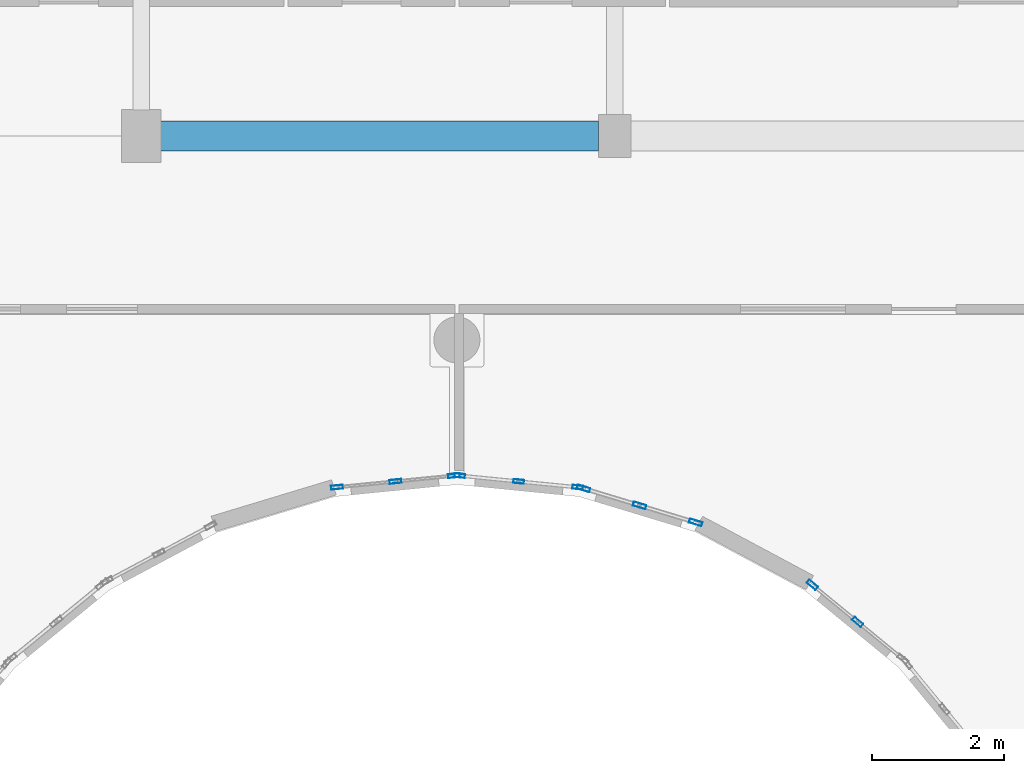
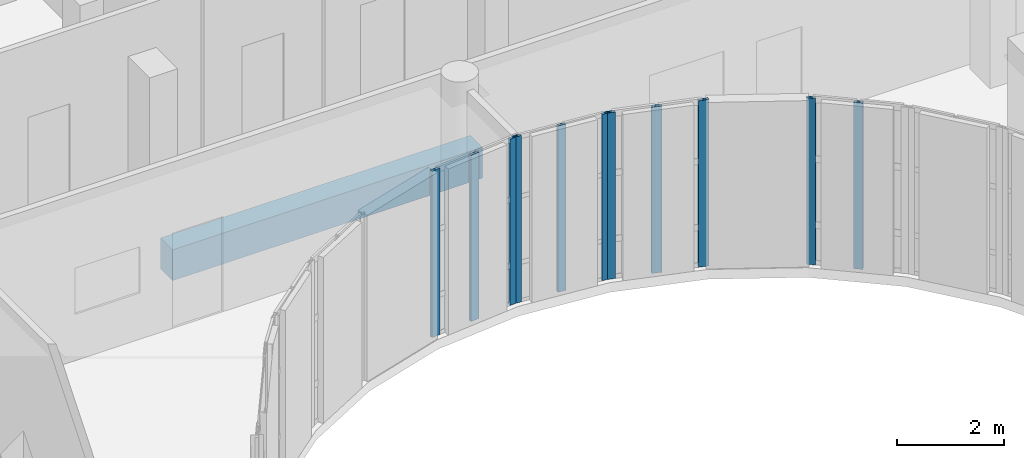
# One storey, part 48 of 105: 11 members, 1 beam, 4 elements without a shape of their own.
"""IFC4 building model written with IfcOpenShell, lengths in metres."""

from ifc_helpers import new_model, si_unit, direction, frame, origin, origin_2d, place, context, subcontext, project, spatial, rectangle, hollow_rectangle, extrude, material, layer, layer_set, material_profile, profile_set, type_object, element, aggregate, save


model = new_model("IFC4")

# Units and contexts
model_context = context("Model", 3, precision=1e-05, world=origin(), true_north=direction((0.0, 1.0)))
body_context = subcontext(model_context, "Body", "Model", "MODEL_VIEW")
ifc_project = project(units=[si_unit("LENGTHUNIT", "METRE"), si_unit("AREAUNIT", "SQUARE_METRE"), si_unit("VOLUMEUNIT", "CUBIC_METRE"), si_unit("PLANEANGLEUNIT", "RADIAN"), si_unit("MASSUNIT", "GRAM", prefix="KILO")], contexts=[model_context])

# Site, building, storey
site_placement = place(None, origin())
site = spatial("IfcSite", under=ifc_project, at=site_placement, CompositionType="ELEMENT")
building_placement = place(site_placement, origin())
building = spatial("IfcBuilding", under=site, at=building_placement, Name="Kelanivale Promenade Academy", CompositionType="ELEMENT")
storey_placement = place(building_placement, frame((0.0, 0.0, 4.199951171875)))
storey = spatial("IfcBuildingStorey", under=building, at=storey_placement, Name="L01", CompositionType="ELEMENT", Elevation=4.199951171875)

# Beam
ifc_material_1 = material(Name="Concrete C35/45", Category="concrete")
ifc_material_profile_1 = material_profile(ifc_material_1, rectangle(XDim=0.449951171875, YDim=0.699951171875, at=origin_2d()), Name="RC-BM 450x700")
ifc_profile_set_1 = profile_set([ifc_material_profile_1], Name="Concrete C35/45")
beam_type = type_object("IfcBeamType", Name="BM-03 RC-BM 450x700", PredefinedType="BEAM", material=ifc_profile_set_1)
beam_placement = place(storey_placement, frame((94.294921875, 71.60009765625, -0.570068359375), z_axis=(1.0, 0.0, 0.0), x_axis=(0.0, 1.0, 0.0)))
element("IfcBeam", 1, at=beam_placement, inside=storey, type_object=beam_type, Name="L01 girder BM-03", PredefinedType="BEAM", context=body_context, shape_type="SweptSolid", body=[
    extrude(rectangle(XDim=0.449951171875, YDim=0.699951171875, at=origin_2d()), origin(), (0.0, 0.0, 1.0), 6.66015625),
])

# Curtain wall, members
ifc_material_2 = material(Name="Bronze anodised aluminium and solar-control low-E glass", Category="aluminium")
ifc_layer_1 = layer(ifc_material_2, 0.159912109375)
ifc_layer_set_1 = layer_set([ifc_layer_1], Name="Bronze anodised aluminium and solar-control low-E glass")
curtain_wall_type_1 = type_object("IfcCurtainWallType", Name="CW-09 Curtain Wall 1650mm Module", PredefinedType="USERDEFINED", material=ifc_layer_set_1)
curtain_wall_1_placement = place(storey_placement, origin())
curtain_wall_1 = element("IfcCurtainWall", 2, at=curtain_wall_1_placement, inside=storey, type_object=curtain_wall_type_1, Name="L01 courtyard curtain wall CW-09", ObjectType="UNITISED GLAZING", PredefinedType="USERDEFINED")
ifc_material_3 = material(Name="Bronze anodised aluminium EN AW-6063 T6", Category="aluminium")
ifc_material_profile_2 = material_profile(ifc_material_3, hollow_rectangle(XDim=0.06005859375, YDim=0.159912109375, WallThickness=0.00390625, at=origin_2d()), Name="ALU 60x160x4.0")
ifc_profile_set_2 = profile_set([ifc_material_profile_2], Name="Bronze anodised aluminium EN AW-6063 T6")
member_type_1 = type_object("IfcMemberType", Name="CWM-01 ALU 60x160x4.0", PredefinedType="MULLION", material=ifc_profile_set_2)
member_1_placement = place(storey_placement, frame((100.63720703125, 66.259033203125, 0.0), z_axis=(0.0, 0.0, 1.0), x_axis=(-0.098280652454, -0.995158737767, 0.0)))
member_1 = element("IfcMember", 3, at=member_1_placement, type_object=member_type_1, Name="CW-09 mullion 1", PredefinedType="MULLION", context=body_context, shape_type="SweptSolid", body=[
    extrude(hollow_rectangle(XDim=0.06005859375, YDim=0.159912109375, WallThickness=0.00390625, at=origin_2d()), origin(), (0.0, 0.0, 1.0), 3.780029296875),
])
member_2_placement = place(storey_placement, frame((99.740478515625, 66.347412109375, 0.0), z_axis=(0.0, 0.0, 1.0), x_axis=(-0.098280652454, -0.995158737767, 0.0)))
member_2 = element("IfcMember", 4, at=member_2_placement, type_object=member_type_1, Name="CW-09 mullion 2", PredefinedType="MULLION", context=body_context, shape_type="SweptSolid", body=[
    extrude(hollow_rectangle(XDim=0.06005859375, YDim=0.159912109375, WallThickness=0.00390625, at=origin_2d()), origin(), (0.0, 0.0, 1.0), 3.780029296875),
])
member_3_placement = place(storey_placement, frame((98.84375, 66.43603515625, 0.0), z_axis=(0.0, 0.0, 1.0), x_axis=(-0.098280652454, -0.995158737767, 0.0)))
member_3 = element("IfcMember", 5, at=member_3_placement, type_object=member_type_1, Name="CW-09 mullion 3", PredefinedType="MULLION", context=body_context, shape_type="SweptSolid", body=[
    extrude(hollow_rectangle(XDim=0.06005859375, YDim=0.159912109375, WallThickness=0.00390625, at=origin_2d()), origin(), (0.0, 0.0, 1.0), 3.780029296875),
])
aggregate(curtain_wall_1, [member_1, member_2, member_3])

ifc_layer_2 = layer(ifc_material_2, 0.169921875)
ifc_layer_set_2 = layer_set([ifc_layer_2], Name="Bronze anodised aluminium and solar-control low-E glass")
curtain_wall_type_2 = type_object("IfcCurtainWallType", Name="CW-10 Curtain Wall 1800mm Module", PredefinedType="USERDEFINED", material=ifc_layer_set_2)
curtain_wall_2_placement = place(storey_placement, origin())
curtain_wall_2 = element("IfcCurtainWall", 6, at=curtain_wall_2_placement, inside=storey, type_object=curtain_wall_type_2, Name="L01 courtyard curtain wall CW-10", ObjectType="UNITISED GLAZING", PredefinedType="USERDEFINED")
ifc_material_profile_3 = material_profile(ifc_material_3, hollow_rectangle(XDim=0.06005859375, YDim=0.179931640625, WallThickness=0.00390625, at=origin_2d()), Name="ALU 60x180x4.0")
ifc_profile_set_3 = profile_set([ifc_material_profile_3], Name="Bronze anodised aluminium EN AW-6063 T6")
member_type_2 = type_object("IfcMemberType", Name="CWM-02 ALU 60x180x4.0", PredefinedType="MULLION", material=ifc_profile_set_3)
member_4_placement = place(storey_placement, frame((98.756103515625, 66.43603515625, 0.0), z_axis=(0.0, 0.0, 1.0), x_axis=(0.098538762159, -0.99513321337, 0.0)))
member_4 = element("IfcMember", 7, at=member_4_placement, type_object=member_type_2, Name="CW-10 mullion 1", PredefinedType="MULLION", context=body_context, shape_type="SweptSolid", body=[
    extrude(hollow_rectangle(XDim=0.06005859375, YDim=0.179931640625, WallThickness=0.00390625, at=origin_2d()), origin(), (0.0, 0.0, 1.0), 3.780029296875),
])
member_5_placement = place(storey_placement, frame((97.866943359375, 66.347900390625, 0.0), z_axis=(0.0, 0.0, 1.0), x_axis=(0.098538762159, -0.99513321337, 0.0)))
member_5 = element("IfcMember", 8, at=member_5_placement, type_object=member_type_2, Name="CW-10 mullion 2", PredefinedType="MULLION", context=body_context, shape_type="SweptSolid", body=[
    extrude(hollow_rectangle(XDim=0.06005859375, YDim=0.179931640625, WallThickness=0.00390625, at=origin_2d()), origin(), (0.0, 0.0, 1.0), 3.780029296875),
])
member_6_placement = place(storey_placement, frame((96.977783203125, 66.260009765625, 0.0), z_axis=(0.0, 0.0, 1.0), x_axis=(0.098538762159, -0.99513321337, 0.0)))
member_6 = element("IfcMember", 9, at=member_6_placement, type_object=member_type_2, Name="CW-10 mullion 3", PredefinedType="MULLION", context=body_context, shape_type="SweptSolid", body=[
    extrude(hollow_rectangle(XDim=0.06005859375, YDim=0.179931640625, WallThickness=0.00390625, at=origin_2d()), origin(), (0.0, 0.0, 1.0), 3.780029296875),
])
aggregate(curtain_wall_2, [member_4, member_5, member_6])

ifc_layer_3 = layer(ifc_material_2, 0.169921875)
ifc_layer_set_3 = layer_set([ifc_layer_3], Name="Bronze anodised aluminium and solar-control low-E glass")
curtain_wall_type_3 = type_object("IfcCurtainWallType", Name="CW-07 Curtain Wall 1350mm Module", PredefinedType="USERDEFINED", material=ifc_layer_set_3)
curtain_wall_3_placement = place(storey_placement, origin())
curtain_wall_3 = element("IfcCurtainWall", 10, at=curtain_wall_3_placement, inside=storey, type_object=curtain_wall_type_3, Name="L01 courtyard curtain wall CW-07", ObjectType="UNITISED GLAZING", PredefinedType="USERDEFINED")
ifc_material_profile_4 = material_profile(ifc_material_3, hollow_rectangle(XDim=0.06494140625, YDim=0.175048828125, WallThickness=0.00390625, at=origin_2d()), Name="ALU 65x175x4.0")
ifc_profile_set_4 = profile_set([ifc_material_profile_4], Name="Bronze anodised aluminium EN AW-6063 T6")
member_type_3 = type_object("IfcMemberType", Name="CWM-03 ALU 65x175x4.0", PredefinedType="MULLION", material=ifc_profile_set_4)
member_7_placement = place(storey_placement, frame((104.89306640625, 64.21142578125, 0.0), z_axis=(0.0, 0.0, 1.0), x_axis=(-0.634092539482, -0.773257170269, 0.0)))
member_7 = element("IfcMember", 11, at=member_7_placement, type_object=member_type_3, Name="CW-07 mullion 2", PredefinedType="MULLION", context=body_context, shape_type="SweptSolid", body=[
    extrude(hollow_rectangle(XDim=0.06494140625, YDim=0.175048828125, WallThickness=0.00390625, at=origin_2d()), origin(), (0.0, 0.0, 1.0), 3.780029296875),
])
member_8_placement = place(storey_placement, frame((104.2041015625, 64.7763671875, 0.0), z_axis=(0.0, 0.0, 1.0), x_axis=(-0.634092539482, -0.773257170269, 0.0)))
member_8 = element("IfcMember", 12, at=member_8_placement, type_object=member_type_3, Name="CW-07 mullion 3", PredefinedType="MULLION", context=body_context, shape_type="SweptSolid", body=[
    extrude(hollow_rectangle(XDim=0.06494140625, YDim=0.175048828125, WallThickness=0.00390625, at=origin_2d()), origin(), (0.0, 0.0, 1.0), 3.780029296875),
])
aggregate(curtain_wall_3, [member_7, member_8])

ifc_layer_4 = layer(ifc_material_2, 0.179931640625)
ifc_layer_set_4 = layer_set([ifc_layer_4], Name="Bronze anodised aluminium and solar-control low-E glass")
curtain_wall_type_4 = type_object("IfcCurtainWallType", Name="CW-08 Curtain Wall 1500mm Module", PredefinedType="USERDEFINED", material=ifc_layer_set_4)
curtain_wall_4_placement = place(storey_placement, origin())
curtain_wall_4 = element("IfcCurtainWall", 13, at=curtain_wall_4_placement, inside=storey, type_object=curtain_wall_type_4, Name="L01 courtyard curtain wall CW-08", ObjectType="UNITISED GLAZING", PredefinedType="USERDEFINED")
ifc_material_profile_5 = material_profile(ifc_material_3, hollow_rectangle(XDim=0.06494140625, YDim=0.199951171875, WallThickness=0.00439453125, at=origin_2d()), Name="ALU 65x200x4.5")
ifc_profile_set_5 = profile_set([ifc_material_profile_5], Name="Bronze anodised aluminium EN AW-6063 T6")
member_type_4 = type_object("IfcMemberType", Name="CWM-04 ALU 65x200x4.5", PredefinedType="MULLION", material=ifc_profile_set_5)
member_9_placement = place(storey_placement, frame((102.430908203125, 65.724365234375, 0.0), z_axis=(0.0, 0.0, 1.0), x_axis=(-0.290127576893, -0.956987977524, 0.0)))
member_9 = element("IfcMember", 14, at=member_9_placement, type_object=member_type_4, Name="CW-08 mullion 1", PredefinedType="MULLION", context=body_context, shape_type="SweptSolid", body=[
    extrude(hollow_rectangle(XDim=0.06494140625, YDim=0.199951171875, WallThickness=0.00439453125, at=origin_2d()), origin(), (0.0, 0.0, 1.0), 3.780029296875),
])
member_10_placement = place(storey_placement, frame((101.577880859375, 65.98291015625, 0.0), z_axis=(0.0, 0.0, 1.0), x_axis=(-0.290127576893, -0.956987977524, 0.0)))
member_10 = element("IfcMember", 15, at=member_10_placement, type_object=member_type_4, Name="CW-08 mullion 2", PredefinedType="MULLION", context=body_context, shape_type="SweptSolid", body=[
    extrude(hollow_rectangle(XDim=0.06494140625, YDim=0.199951171875, WallThickness=0.00439453125, at=origin_2d()), origin(), (0.0, 0.0, 1.0), 3.780029296875),
])
member_11_placement = place(storey_placement, frame((100.72509765625, 66.241455078125, 0.0), z_axis=(0.0, 0.0, 1.0), x_axis=(-0.290127576893, -0.956987977524, 0.0)))
member_11 = element("IfcMember", 16, at=member_11_placement, type_object=member_type_4, Name="CW-08 mullion 3", PredefinedType="MULLION", context=body_context, shape_type="SweptSolid", body=[
    extrude(hollow_rectangle(XDim=0.06494140625, YDim=0.199951171875, WallThickness=0.00439453125, at=origin_2d()), origin(), (0.0, 0.0, 1.0), 3.780029296875),
])
aggregate(curtain_wall_4, [member_9, member_10, member_11])

save(model, "model.ifc")
